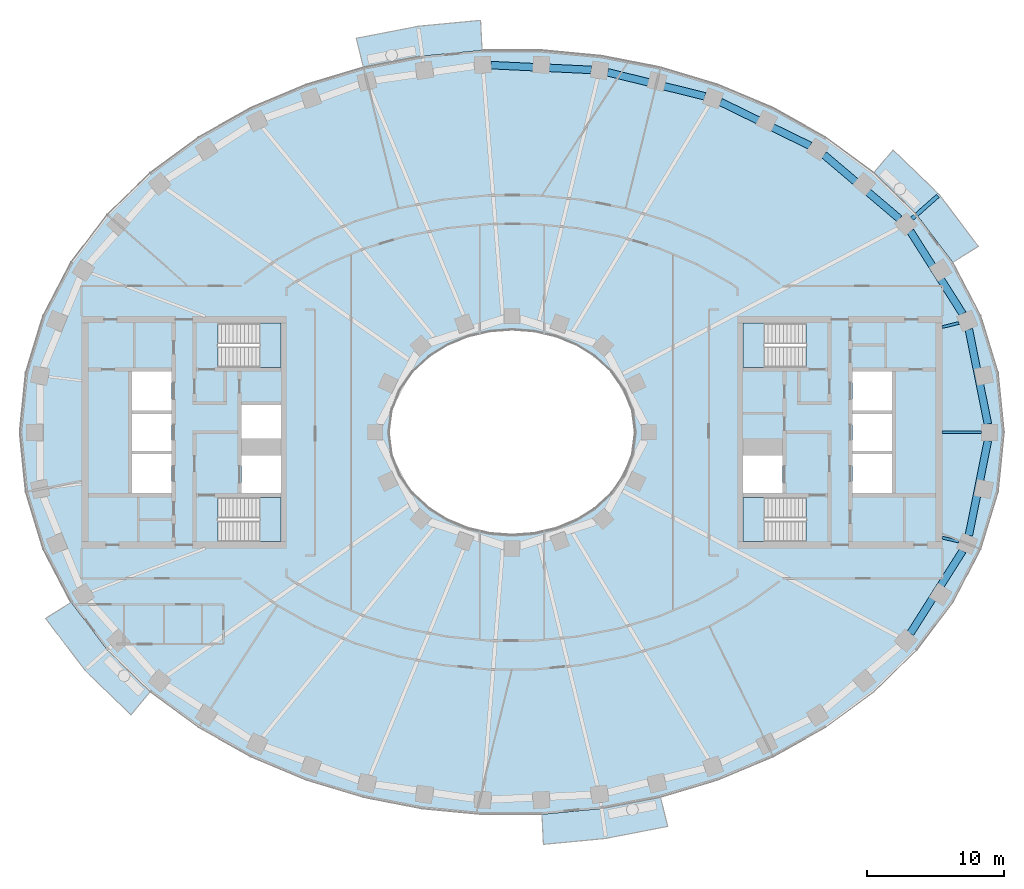
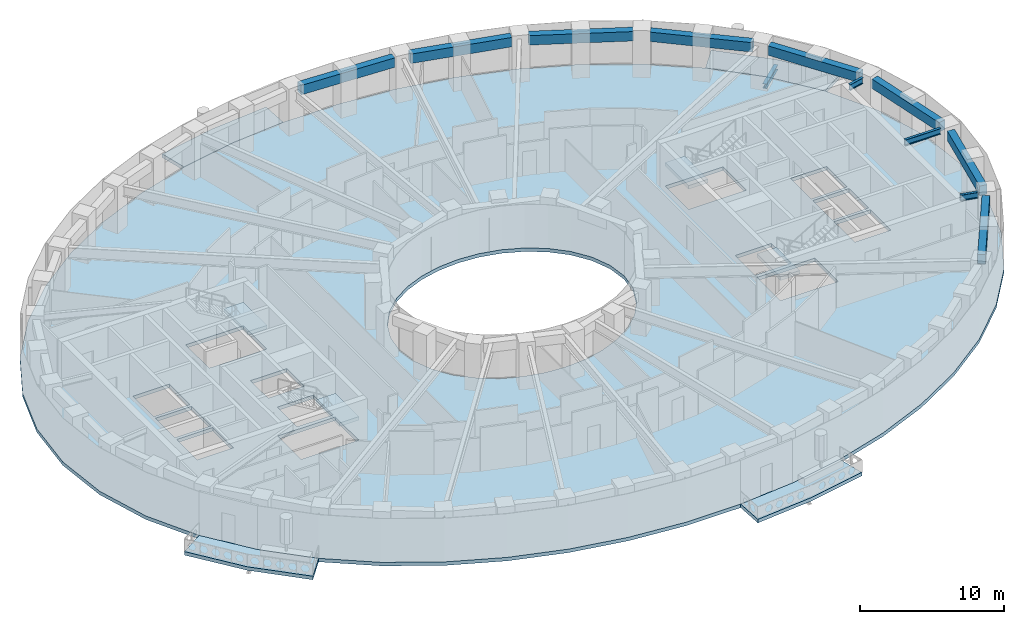
# One storey, part 2 of 16: 12 beams, 9 slabs, 4 elements without a shape of their own.
"""IFC4 building model written with IfcOpenShell, lengths in metres."""

import ifcopenshell
import ifcopenshell.guid

model = None  # the IFC model being written
_history = None  # IfcOwnerHistory: only IFC2X3 demands one
_inside = {}  # id of a spatial element -> (the spatial element, [elements in it])
_under = {}  # id of a project, library or spatial element -> (it, [spatial elements below it])
_declared = {}  # id of a project -> (the project, [libraries it declares])
_typed = {}  # id of a type object -> (the type object, [elements of that type])
_made_of = {}  # id of a material, layer set ... -> (it, [elements and type objects made of it])


def new_model(schema):
    """Start an empty IFC model of exactly this schema.

    Asked for "IFC4X3", IfcOpenShell would pick the latest addendum, in which some entities
    have other attributes; the version numbers below select the first issue.
    IFC2X3 requires an IfcOwnerHistory on every rooted entity: one is made here for all.
    """
    global model, _history
    if schema == "IFC4X3":
        model = ifcopenshell.file(schema_version=(4, 3, 0, 0))
    else:
        model = ifcopenshell.file(schema=schema)
    _inside.clear()
    _under.clear()
    _declared.clear()
    _typed.clear()
    _made_of.clear()
    _history = None
    if model.schema == "IFC2X3":
        org = make("IfcOrganization", Name="unknown")
        user = make(
            "IfcPersonAndOrganization",
            ThePerson=make("IfcPerson", FamilyName="unknown"),
            TheOrganization=org,
        )
        app = make(
            "IfcApplication",
            ApplicationDeveloper=org,
            Version="unknown",
            ApplicationFullName="unknown",
            ApplicationIdentifier="unknown",
        )
        _history = make(
            "IfcOwnerHistory",
            OwningUser=user,
            OwningApplication=app,
            ChangeAction="ADDED",
            CreationDate=0,
        )
    return model


def make(cls, **values):
    """One entity of the class cls with the attributes given. An attribute that is None is left unset."""
    return model.create_entity(
        cls, **{name: value for name, value in values.items() if value is not None}
    )


def rooted(cls, **values):
    """An entity with a GlobalId (a new one), such as an element, a storey or a relation."""
    return make(cls, GlobalId=ifcopenshell.guid.new(), OwnerHistory=_history, **values)


def si_unit(unit_type, name, prefix=None):
    """IfcSIUnit, for example si_unit("LENGTHUNIT", "METRE", prefix="MILLI")."""
    return make("IfcSIUnit", UnitType=unit_type, Prefix=prefix, Name=name)


def assignment(units):
    """IfcUnitAssignment: the units of a project."""
    return None if units is None else make("IfcUnitAssignment", Units=units)


def point(xyz):
    """IfcCartesianPoint."""
    return None if xyz is None else make("IfcCartesianPoint", Coordinates=xyz)


def direction(xyz):
    """IfcDirection."""
    return None if xyz is None else make("IfcDirection", DirectionRatios=xyz)


def frame(location, z_axis=None, x_axis=None):
    """IfcAxis2Placement3D, a coordinate frame: its origin and axes. An axis left out is left unset."""
    return make(
        "IfcAxis2Placement3D",
        Location=point(location),
        Axis=direction(z_axis),
        RefDirection=direction(x_axis),
    )


def frame_2d(location, x_axis=None):
    """IfcAxis2Placement2D, a coordinate frame in the plane: its origin and x axis."""
    return make(
        "IfcAxis2Placement2D", Location=point(location), RefDirection=direction(x_axis)
    )


def origin():
    """The frame at (0, 0, 0) with its axes left unset."""
    return frame((0.0, 0.0, 0.0))


def origin_2d():
    """The frame at (0, 0) in the plane with its x axis left unset."""
    return frame_2d((0.0, 0.0))


def place(relative_to, where):
    """IfcLocalPlacement: puts the frame where relative to a parent placement (None: the world)."""
    return make(
        "IfcLocalPlacement", PlacementRelTo=relative_to, RelativePlacement=where
    )


def context(
    kind, dimensions, precision=None, world=None, true_north=None, identifier=None
):
    """IfcGeometricRepresentationContext, for example the 3D "Model" context."""
    return make(
        "IfcGeometricRepresentationContext",
        ContextIdentifier=identifier,
        ContextType=kind,
        CoordinateSpaceDimension=dimensions,
        Precision=precision,
        WorldCoordinateSystem=world,
        TrueNorth=true_north,
    )


def subcontext(parent, identifier, kind, view, scale=None):
    """IfcGeometricRepresentationSubContext, for example "Body" below "Model"."""
    return make(
        "IfcGeometricRepresentationSubContext",
        ContextIdentifier=identifier,
        ContextType=kind,
        ParentContext=parent,
        TargetScale=scale,
        TargetView=view,
    )


def project(units=None, contexts=None):
    """IfcProject with its units and contexts."""
    return rooted(
        "IfcProject",
        Name="project",
        RepresentationContexts=contexts,
        UnitsInContext=assignment(units),
    )


def spatial(cls, under=None, at=None, **own):
    """A site, building, storey or space (cls), placed at a placement, below another one or the project."""
    s = rooted(cls, ObjectPlacement=at, **own)
    if under is not None:
        _under.setdefault(under.id(), (under, []))[1].append(s)
    return s


def polyline(points):
    """IfcPolyline through the points."""
    return make("IfcPolyline", Points=[point(p) for p in points])


def profile(cls, at=None, kind="AREA", **sizes):
    """A parametric profile (cls). Its sizes go by their IFC names, for example OverallWidth=200.0."""
    return make(cls, ProfileType=kind, Position=at, **sizes)


def rectangle(**sizes):
    """IfcRectangleProfileDef."""
    return profile("IfcRectangleProfileDef", **sizes)


def i_section(**sizes):
    """IfcIShapeProfileDef."""
    return profile("IfcIShapeProfileDef", **sizes)


def outline(outer, holes=None, kind="AREA"):
    """IfcArbitraryClosedProfileDef: a profile drawn as a closed curve; with holes, ...WithVoids."""
    if holes is None:
        return make("IfcArbitraryClosedProfileDef", ProfileType=kind, OuterCurve=outer)
    return make(
        "IfcArbitraryProfileDefWithVoids",
        ProfileType=kind,
        OuterCurve=outer,
        InnerCurves=holes,
    )


def extrude(swept, where, along, depth):
    """IfcExtrudedAreaSolid: the profile swept, set in the frame where, extruded along a direction by depth."""
    return make(
        "IfcExtrudedAreaSolid",
        SweptArea=swept,
        Position=where,
        ExtrudedDirection=direction(along),
        Depth=depth,
    )


def shape(context_of_items, identifier, shape_type, items):
    """IfcShapeRepresentation: the items that make up one representation, for example the "Body"."""
    return make(
        "IfcShapeRepresentation",
        ContextOfItems=context_of_items,
        RepresentationIdentifier=identifier,
        RepresentationType=shape_type,
        Items=items,
    )


def material(Name=None, Category=None):
    """IfcMaterial."""
    return make("IfcMaterial", Name=Name, Category=Category)


def layer(
    of_material, thickness, ventilated=None, Name=None, Category=None, Priority=None
):
    """IfcMaterialLayer: one layer of a wall or slab, of a material (None: an air gap)."""
    return make(
        "IfcMaterialLayer",
        Material=of_material,
        LayerThickness=thickness,
        IsVentilated=ventilated,
        Name=Name,
        Category=Category,
        Priority=Priority,
    )


def layer_set(layers, Name=None):
    """IfcMaterialLayerSet."""
    return make("IfcMaterialLayerSet", MaterialLayers=layers, LayerSetName=Name)


def material_profile(
    of_material, cross_section, Name=None, Category=None, Priority=None
):
    """IfcMaterialProfile: a cross section and its material."""
    return make(
        "IfcMaterialProfile",
        Name=Name,
        Material=of_material,
        Profile=cross_section,
        Priority=Priority,
        Category=Category,
    )


def profile_set(profiles, Name=None, composite=None):
    """IfcMaterialProfileSet."""
    return make(
        "IfcMaterialProfileSet",
        Name=Name,
        MaterialProfiles=profiles,
        CompositeProfile=composite,
    )


def made_of(thing, what):
    """Note that an element or type object is made of a material, layer set ...; save() writes the relation."""
    if what is not None:
        _made_of.setdefault(what.id(), (what, []))[1].append(thing)
    return thing


def type_object(cls, material=None, **own):
    """A type object (cls), such as IfcWallType, which elements share."""
    return made_of(rooted(cls, **own), material)


def element(
    cls,
    number,
    at=None,
    inside=None,
    cuts=None,
    type_object=None,
    material=None,
    context=None,
    identifier="Body",
    shape_type=None,
    held_by="IfcProductDefinitionShape",
    body=None,
    shapes=None,
    **own,
):
    """One element of the class cls, such as IfcWall. Its Tag is "e" and its number.

    at: its placement. inside: the storey or other place that contains it. cuts: it is an
    opening in that element (IfcRelVoidsElement). A single representation is given by context,
    identifier, shape_type and body (its items); several are given by shapes. held_by: the class
    of the entity that holds the representations. save() writes the other relations.
    """
    e = rooted(cls, Tag="e%d" % number, ObjectPlacement=at, **own)
    if body is not None:
        shapes = [shape(context, identifier, shape_type, body)]
    if shapes is not None:
        e.Representation = make(held_by, Representations=shapes)
    if inside is not None:
        _inside.setdefault(inside.id(), (inside, []))[1].append(e)
    if cuts is not None:
        rooted(
            "IfcRelVoidsElement", RelatingBuildingElement=cuts, RelatedOpeningElement=e
        )
    if type_object is not None:
        _typed.setdefault(type_object.id(), (type_object, []))[1].append(e)
    return made_of(e, material)


def aggregate(whole, parts):
    """IfcRelAggregates: a whole, such as a stair, and the parts it consists of."""
    return rooted("IfcRelAggregates", RelatingObject=whole, RelatedObjects=parts)


def save(model, path):
    """Write the relations noted so far, then the file.

    IfcRelAggregates (storeys below a building ...), IfcRelContainedInSpatialStructure (elements
    in a storey), IfcRelDefinesByType, IfcRelAssociatesMaterial and IfcRelDeclares: one each for
    every whole, place, type object, material and project.
    """
    for whole, parts in _under.values():
        aggregate(whole, parts)
    for where, things in _inside.values():
        rooted(
            "IfcRelContainedInSpatialStructure",
            RelatedElements=things,
            RelatingStructure=where,
        )
    for kind, things in _typed.values():
        rooted("IfcRelDefinesByType", RelatedObjects=things, RelatingType=kind)
    for what, things in _made_of.values():
        rooted("IfcRelAssociatesMaterial", RelatedObjects=things, RelatingMaterial=what)
    for by, libraries in _declared.values():
        rooted("IfcRelDeclares", RelatingContext=by, RelatedDefinitions=libraries)
    model.write(path)


model = new_model("IFC4")

# Units and contexts
model_context = context("Model", 3, precision=1e-05, world=origin(), true_north=direction((0.0, 1.0)))
body_context = subcontext(model_context, "Body", "Model", "MODEL_VIEW")
ifc_project = project(units=[si_unit("LENGTHUNIT", "METRE"), si_unit("AREAUNIT", "SQUARE_METRE"), si_unit("VOLUMEUNIT", "CUBIC_METRE"), si_unit("PLANEANGLEUNIT", "RADIAN"), si_unit("MASSUNIT", "GRAM", prefix="KILO")], contexts=[model_context])

# Site, building, storey
site_placement = place(None, origin())
site = spatial("IfcSite", under=ifc_project, at=site_placement, CompositionType="ELEMENT")
building_placement = place(site_placement, origin())
building = spatial("IfcBuilding", under=site, at=building_placement, Name="Noorbagh Ring Tower", CompositionType="ELEMENT")
storey_placement = place(building_placement, frame((0.0, 0.0, 132.0)))
storey = spatial("IfcBuildingStorey", under=building, at=storey_placement, Name="L30", CompositionType="ELEMENT", Elevation=132.0)

# Beams
ifc_material_1 = material(Name="Steel S355", Category="steel")
ifc_material_profile_1 = material_profile(ifc_material_1, i_section(OverallWidth=0.300048828125, OverallDepth=0.39990234375, WebThickness=0.013427734375, FlangeThickness=0.02392578125, FilletRadius=0.027099609375, at=origin_2d()), Name="HEB400")
ifc_profile_set_1 = profile_set([ifc_material_profile_1], Name="Steel S355")
beam_type_1 = type_object("IfcBeamType", Name="STR-BALCONY-BRACKET-HEB400", PredefinedType="BEAM", material=ifc_profile_set_1)
beam_1_placement = place(storey_placement, frame((29.27197265625, 15.63134765625, -0.5), z_axis=(0.749063543205, 0.662498157161, 0.0), x_axis=(-0.662498157161, 0.749063543205, 0.0)))
element("IfcBeam", 1, at=beam_1_placement, inside=storey, type_object=beam_type_1, Name="Balcony bracket beam BN01", PredefinedType="BEAM", context=body_context, shape_type="SweptSolid", body=[
    extrude(i_section(OverallWidth=0.300048828125, OverallDepth=0.39990234375, WebThickness=0.013427734375, FlangeThickness=0.02392578125, FilletRadius=0.027099609375, at=origin_2d()), origin(), (0.0, 0.0, 1.0), 2.50439453125),
])
ifc_material_2 = material(Name="Steel S355", Category="steel")
ifc_material_profile_2 = material_profile(ifc_material_2, i_section(OverallWidth=0.199951171875, OverallDepth=0.5, WebThickness=0.01025390625, FlangeThickness=0.01611328125, FilletRadius=0.02099609375, at=origin_2d()), Name="IPE500")
ifc_profile_set_2 = profile_set([ifc_material_profile_2], Name="Steel S355")
beam_type_2 = type_object("IfcBeamType", Name="STR-RAD-IPE500", PredefinedType="BEAM", material=ifc_profile_set_2)
beam_2_placement = place(storey_placement, frame((34.339599609375, 0.0, 3.449951171875), z_axis=(-1.0, 0.0, 0.0), x_axis=(0.0, -1.0, 0.0)))
element("IfcBeam", 2, at=beam_2_placement, inside=storey, type_object=beam_type_2, Name="L30/bm/RD01", PredefinedType="BEAM", context=body_context, shape_type="SweptSolid", body=[
    extrude(i_section(OverallWidth=0.199951171875, OverallDepth=0.5, WebThickness=0.01025390625, FlangeThickness=0.01611328125, FilletRadius=0.02099609375, at=origin_2d()), origin(), (0.0, 0.0, 1.0), 2.859619140625),
])
for number, where, z_axis, x_axis, name in (
    (3, (32.710693359375, 8.00390625, 3.449951171875), (-0.971343647719, -0.237679443865, 0.0), (0.237679443865, -0.971343647719, 0.0), "L30/bm/RD03"),
    (4, (32.710693359375, -8.00390625, 3.449951171875), (-0.971343647719, 0.237679443865, 0.0), (-0.237679443865, -0.971343647719, 0.0), "L30/bm/RD45"),
):
    element("IfcBeam", number, at=place(storey_placement, frame(where, z_axis=z_axis, x_axis=x_axis)), inside=storey, type_object=beam_type_2, Name=name, PredefinedType="BEAM", context=body_context, shape_type="SweptSolid", body=[
        extrude(i_section(OverallWidth=0.199951171875, OverallDepth=0.5, WebThickness=0.01025390625, FlangeThickness=0.01611328125, FilletRadius=0.02099609375, at=origin_2d()), origin(), (0.0, 0.0, 1.0), 1.2666015625),
    ])
ifc_material_3 = material(Name="Concrete C40/50", Category="concrete")
ifc_material_profile_3 = material_profile(ifc_material_3, rectangle(XDim=0.550048828125, YDim=0.800048828125, at=origin_2d()), Name="RC550x800")
ifc_profile_set_3 = profile_set([ifc_material_profile_3], Name="Concrete C40/50")
beam_type_3 = type_object("IfcBeamType", Name="STR-SB-RC550x800-C40-50", PredefinedType="BEAM", material=ifc_profile_set_3)
beam_3_placement = place(storey_placement, frame((34.822998046875, 0.60546875, 3.300048828125), z_axis=(-0.197250205232, 0.98035317949, 0.0), x_axis=(-0.98035317949, -0.197250205232, 0.0)))
element("IfcBeam", 5, at=beam_3_placement, inside=storey, type_object=beam_type_3, Name="L30/bm/SP01", PredefinedType="BEAM", context=body_context, shape_type="SweptSolid", body=[
    extrude(rectangle(XDim=0.550048828125, YDim=0.800048828125, at=origin_2d()), origin(), (0.0, 0.0, 1.0), 7.07861328125),
])
beam_4_placement = place(storey_placement, frame((32.97607421875, 8.668701171875, 3.300048828125), z_axis=(-0.535178715716, 0.844738860385, 0.0), x_axis=(-0.844738860385, -0.535178715716, 0.0)))
element("IfcBeam", 6, at=beam_4_placement, inside=storey, type_object=beam_type_3, Name="L30/bm/SP03", PredefinedType="BEAM", context=body_context, shape_type="SweptSolid", body=[
    extrude(rectangle(XDim=0.550048828125, YDim=0.800048828125, at=origin_2d()), origin(), (0.0, 0.0, 1.0), 7.15478515625),
])
beam_5_placement = place(storey_placement, frame((28.352294921875, 15.625732421875, 3.300048828125), z_axis=(-0.76304723731, 0.646342721498, 0.0), x_axis=(-0.646342721498, -0.76304723731, 0.0)))
element("IfcBeam", 7, at=beam_5_placement, inside=storey, type_object=beam_type_3, Name="L30/bm/SP05", PredefinedType="BEAM", context=body_context, shape_type="SweptSolid", body=[
    extrude(rectangle(XDim=0.550048828125, YDim=0.800048828125, at=origin_2d()), origin(), (0.0, 0.0, 1.0), 7.240234375),
])
beam_6_placement = place(storey_placement, frame((21.814453125, 20.967529296875, 3.300048828125), z_axis=(-0.898391398986, 0.439195735667, 0.0), x_axis=(-0.439195735667, -0.898391398986, 0.0)))
element("IfcBeam", 8, at=beam_6_placement, inside=storey, type_object=beam_type_3, Name="L30/bm/SP07", PredefinedType="BEAM", context=body_context, shape_type="SweptSolid", body=[
    extrude(rectangle(XDim=0.550048828125, YDim=0.800048828125, at=origin_2d()), origin(), (0.0, 0.0, 1.0), 7.2998046875),
])
beam_7_placement = place(storey_placement, frame((14.118896484375, 24.586669921875, 3.300048828125), z_axis=(-0.970829859213, 0.239769440213, 0.0), x_axis=(-0.239769440213, -0.970829859213, 0.0)))
element("IfcBeam", 9, at=beam_7_placement, inside=storey, type_object=beam_type_3, Name="L30/bm/SP09", PredefinedType="BEAM", context=body_context, shape_type="SweptSolid", body=[
    extrude(rectangle(XDim=0.550048828125, YDim=0.800048828125, at=origin_2d()), origin(), (0.0, 0.0, 1.0), 7.333251953125),
])
beam_8_placement = place(storey_placement, frame((5.802001953125, 26.519775390625, 3.300048828125), z_axis=(-0.998868588799, 0.047555675902, 0.0), x_axis=(-0.047555675902, -0.998868588799, 0.0)))
element("IfcBeam", 10, at=beam_8_placement, inside=storey, type_object=beam_type_3, Name="L30/bm/SP11", PredefinedType="BEAM", context=body_context, shape_type="SweptSolid", body=[
    extrude(rectangle(XDim=0.550048828125, YDim=0.800048828125, at=origin_2d()), origin(), (0.0, 0.0, 1.0), 7.346435546875),
])
beam_9_placement = place(storey_placement, frame((29.14697265625, -14.712646484375, 3.300048828125), z_axis=(0.535178715716, 0.844738860385, 0.0), x_axis=(-0.844738860385, 0.535178715716, 0.0)))
element("IfcBeam", 11, at=beam_9_placement, inside=storey, type_object=beam_type_3, Name="L30/bm/SP43", PredefinedType="BEAM", context=body_context, shape_type="SweptSolid", body=[
    extrude(rectangle(XDim=0.550048828125, YDim=0.800048828125, at=origin_2d()), origin(), (0.0, 0.0, 1.0), 7.15478515625),
])
beam_10_placement = place(storey_placement, frame((33.4267578125, -7.544921875, 3.300048828125), z_axis=(0.197250205232, 0.98035317949, 0.0), x_axis=(-0.98035317949, 0.197250205232, 0.0)))
element("IfcBeam", 12, at=beam_10_placement, inside=storey, type_object=beam_type_3, Name="L30/bm/SP45", PredefinedType="BEAM", context=body_context, shape_type="SweptSolid", body=[
    extrude(rectangle(XDim=0.550048828125, YDim=0.800048828125, at=origin_2d()), origin(), (0.0, 0.0, 1.0), 7.07861328125),
])

# Stair, slab
ifc_material_4 = material(Name="Concrete C40/50", Category="concrete")
stair_type = type_object("IfcStairType", Name="CORE-STAIR", PredefinedType="HALF_TURN_STAIR", material=ifc_material_4)
stair_1_placement = place(storey_placement, origin())
stair_1 = element("IfcStair", 13, at=stair_1_placement, inside=storey, type_object=stair_type, Name="L30 Exit stair ST1", PredefinedType="HALF_TURN_STAIR")
ifc_material_5 = material(Name="Concrete C40/50", Category="concrete")
ifc_layer_1 = layer(ifc_material_5, 0.300048828125)
ifc_layer_set_1 = layer_set([ifc_layer_1], Name="Concrete C40/50")
slab_type_1 = type_object("IfcSlabType", Name="CORE-STAIR-LANDING", PredefinedType="LANDING", material=ifc_layer_set_1)
slab_1_placement = place(storey_placement, frame((0.0, 0.0, 1.699951171875)))
slab_1 = element("IfcSlab", 14, at=slab_1_placement, type_object=slab_type_1, Name="ST1 landing 1", PredefinedType="LANDING", context=body_context, shape_type="SweptSolid", body=[
    extrude(outline(polyline([(-18.449951171875, 4.75), (-16.89990234375, 4.75), (-16.89990234375, 8.0), (-18.449951171875, 8.0), (-18.449951171875, 4.75)])), origin(), (0.0, 0.0, 1.0), 0.300048828125),
])
aggregate(stair_1, [slab_1])

stair_2_placement = place(storey_placement, origin())
stair_2 = element("IfcStair", 15, at=stair_2_placement, inside=storey, type_object=stair_type, Name="L30 Exit stair ST2", PredefinedType="HALF_TURN_STAIR")
slab_2_placement = place(storey_placement, frame((0.0, 0.0, 1.699951171875)))
slab_2 = element("IfcSlab", 16, at=slab_2_placement, type_object=slab_type_1, Name="ST2 landing 1", PredefinedType="LANDING", context=body_context, shape_type="SweptSolid", body=[
    extrude(outline(polyline([(-18.449951171875, -8.0), (-16.89990234375, -8.0), (-16.89990234375, -4.75), (-18.449951171875, -4.75), (-18.449951171875, -8.0)])), origin(), (0.0, 0.0, 1.0), 0.300048828125),
])
aggregate(stair_2, [slab_2])

stair_3_placement = place(storey_placement, origin())
stair_3 = element("IfcStair", 17, at=stair_3_placement, inside=storey, type_object=stair_type, Name="L30 Exit stair ST3", PredefinedType="HALF_TURN_STAIR")
slab_3_placement = place(storey_placement, frame((0.0, 0.0, 1.699951171875)))
slab_3 = element("IfcSlab", 18, at=slab_3_placement, type_object=slab_type_1, Name="ST3 landing 1", PredefinedType="LANDING", context=body_context, shape_type="SweptSolid", body=[
    extrude(outline(polyline([(18.449951171875, 8.0), (16.89990234375, 8.0), (16.89990234375, 4.75), (18.449951171875, 4.75), (18.449951171875, 8.0)])), origin(), (0.0, 0.0, 1.0), 0.300048828125),
])
aggregate(stair_3, [slab_3])

stair_4_placement = place(storey_placement, origin())
stair_4 = element("IfcStair", 19, at=stair_4_placement, inside=storey, type_object=stair_type, Name="L30 Exit stair ST4", PredefinedType="HALF_TURN_STAIR")
slab_4_placement = place(storey_placement, frame((0.0, 0.0, 1.699951171875)))
slab_4 = element("IfcSlab", 20, at=slab_4_placement, type_object=slab_type_1, Name="ST4 landing 1", PredefinedType="LANDING", context=body_context, shape_type="SweptSolid", body=[
    extrude(outline(polyline([(18.449951171875, -4.75), (16.89990234375, -4.75), (16.89990234375, -8.0), (18.449951171875, -8.0), (18.449951171875, -4.75)])), origin(), (0.0, 0.0, 1.0), 0.300048828125),
])
aggregate(stair_4, [slab_4])

# Slabs
ifc_material_6 = material(Name="Concrete C40/50", Category="concrete")
ifc_layer_2 = layer(ifc_material_6, 0.300048828125)
ifc_layer_set_2 = layer_set([ifc_layer_2], Name="Concrete C40/50")
slab_type_2 = type_object("IfcSlabType", Name="ENV-BALCONY DECK 300", PredefinedType="FLOOR", material=ifc_layer_set_2)
slab_5_placement = place(storey_placement, frame((0.0, 0.0, -0.300048828125)))
element("IfcSlab", 21, at=slab_5_placement, inside=storey, type_object=slab_type_2, Name="Tree balcony deck BN01", PredefinedType="FLOOR", context=body_context, shape_type="SweptSolid", body=[
    extrude(outline(polyline([(34.120361328125, 13.615966796875), (31.26025390625, 17.389892578125), (27.888671875, 20.665771484375), (26.463134765625, 18.983154296875), (29.607666015625, 15.92822265625), (32.255126953125, 12.434814453125), (34.120361328125, 13.615966796875)])), origin(), (0.0, 0.0, 1.0), 0.300048828125),
])
slab_6_placement = place(storey_placement, frame((0.0, 0.0, -0.300048828125)))
element("IfcSlab", 22, at=slab_6_placement, inside=storey, type_object=slab_type_2, Name="Tree balcony deck BN04", PredefinedType="FLOOR", context=body_context, shape_type="SweptSolid", body=[
    extrude(outline(polyline([(-2.2978515625, 30.14794921875), (-6.874755859375, 29.711181640625), (-11.3935546875, 28.832763671875), (-10.865234375, 26.6943359375), (-6.5595703125, 27.53125), (-2.193115234375, 27.947998046875), (-2.2978515625, 30.14794921875)])), origin(), (0.0, 0.0, 1.0), 0.300048828125),
])
slab_7_placement = place(storey_placement, frame((0.0, 0.0, -0.300048828125)))
element("IfcSlab", 23, at=slab_7_placement, inside=storey, type_object=slab_type_2, Name="Tree balcony deck BS01", PredefinedType="FLOOR", context=body_context, shape_type="SweptSolid", body=[
    extrude(outline(polyline([(-34.120361328125, -13.615966796875), (-31.26025390625, -17.389892578125), (-27.888671875, -20.665771484375), (-26.463134765625, -18.983154296875), (-29.607666015625, -15.92822265625), (-32.255126953125, -12.434814453125), (-34.120361328125, -13.615966796875)])), origin(), (0.0, 0.0, 1.0), 0.300048828125),
])
slab_8_placement = place(storey_placement, frame((0.0, 0.0, -0.300048828125)))
element("IfcSlab", 24, at=slab_8_placement, inside=storey, type_object=slab_type_2, Name="Tree balcony deck BS04", PredefinedType="FLOOR", context=body_context, shape_type="SweptSolid", body=[
    extrude(outline(polyline([(2.2978515625, -30.14794921875), (6.874755859375, -29.711181640625), (11.3935546875, -28.832763671875), (10.865234375, -26.6943359375), (6.5595703125, -27.53125), (2.193115234375, -27.947998046875), (2.2978515625, -30.14794921875)])), origin(), (0.0, 0.0, 1.0), 0.300048828125),
])
ifc_material_7 = material(Name="Concrete C40/50", Category="concrete")
ifc_layer_3 = layer(ifc_material_7, 0.300048828125)
ifc_layer_set_3 = layer_set([ifc_layer_3], Name="Concrete C40/50")
slab_type_3 = type_object("IfcSlabType", Name="STR-FLOOR-DECK-300", PredefinedType="FLOOR", material=ifc_layer_set_3)
slab_9_placement = place(storey_placement, frame((0.0, 0.0, -0.300048828125)))
element("IfcSlab", 25, at=slab_9_placement, inside=storey, type_object=slab_type_3, Name="L30/slab/1", PredefinedType="FLOOR", context=body_context, shape_type="SweptSolid", body=[
    extrude(outline(polyline([(36.0, 0.0), (35.56103515625, 4.358642578125), (34.281005859375, 8.548828125), (32.255126953125, 12.434814453125), (29.607666015625, 15.92822265625), (26.463134765625, 18.983154296875), (22.9326171875, 21.583740234375), (19.108154296875, 23.730224609375), (15.0654296875, 25.430419921875), (10.865234375, 26.6943359375), (6.5595703125, 27.53125), (2.193115234375, 27.947998046875), (-2.193115234375, 27.947998046875), (-6.5595703125, 27.53125), (-10.865234375, 26.6943359375), (-15.0654296875, 25.430419921875), (-19.108154296875, 23.730224609375), (-22.9326171875, 21.583740234375), (-26.463134765625, 18.983154296875), (-29.607666015625, 15.92822265625), (-32.255126953125, 12.434814453125), (-34.281005859375, 8.548828125), (-35.56103515625, 4.358642578125), (-36.0, 0.0), (-35.56103515625, -4.358642578125), (-34.281005859375, -8.548828125), (-32.255126953125, -12.434814453125), (-29.607666015625, -15.92822265625), (-26.463134765625, -18.983154296875), (-22.9326171875, -21.583740234375), (-19.108154296875, -23.730224609375), (-15.0654296875, -25.430419921875), (-10.865234375, -26.6943359375), (-6.5595703125, -27.53125), (-2.193115234375, -27.947998046875), (2.193115234375, -27.947998046875), (6.5595703125, -27.53125), (10.865234375, -26.6943359375), (15.0654296875, -25.430419921875), (19.108154296875, -23.730224609375), (22.9326171875, -21.583740234375), (26.463134765625, -18.983154296875), (29.607666015625, -15.92822265625), (32.255126953125, -12.434814453125), (34.281005859375, -8.548828125), (35.56103515625, -4.358642578125), (36.0, 0.0)]), holes=[polyline([(24.89990234375, -1.60009765625), (27.800048828125, -1.60009765625), (27.800048828125, -4.449951171875), (24.89990234375, -4.449951171875), (24.89990234375, -1.60009765625)]), polyline([(24.89990234375, 1.35009765625), (27.800048828125, 1.35009765625), (27.800048828125, -1.35009765625), (24.89990234375, -1.35009765625), (24.89990234375, 1.35009765625)]), polyline([(24.89990234375, 4.449951171875), (27.800048828125, 4.449951171875), (27.800048828125, 1.60009765625), (24.89990234375, 1.60009765625), (24.89990234375, 4.449951171875)]), polyline([(21.529541015625, -4.75), (21.529541015625, -8.0), (16.89990234375, -8.0), (16.89990234375, -4.75), (21.529541015625, -4.75)]), polyline([(21.529541015625, 4.75), (16.89990234375, 4.75), (16.89990234375, 8.0), (21.529541015625, 8.0), (21.529541015625, 4.75)]), polyline([(16.89990234375, -1.699951171875), (19.800048828125, -1.699951171875), (19.800048828125, -4.449951171875), (16.89990234375, -4.449951171875), (16.89990234375, -1.699951171875)]), polyline([(4.697509765625, -6.3974609375), (3.196533203125, -7.010986328125), (1.6171875, -7.3779296875), (0.0, -7.5), (-1.6171875, -7.3779296875), (-3.196533203125, -7.010986328125), (-4.697509765625, -6.3974609375), (-6.071044921875, -5.53662109375), (-7.2587890625, -4.43408203125), (-8.1904296875, -3.10888671875), (-8.79150390625, -1.605224609375), (-9.0, 0.0), (-8.79150390625, 1.605224609375), (-8.1904296875, 3.10888671875), (-7.2587890625, 4.43408203125), (-6.071044921875, 5.53662109375), (-4.697509765625, 6.3974609375), (-3.196533203125, 7.010986328125), (-1.6171875, 7.3779296875), (0.0, 7.5), (1.6171875, 7.3779296875), (3.196533203125, 7.010986328125), (4.697509765625, 6.3974609375), (6.071044921875, 5.53662109375), (7.2587890625, 4.43408203125), (8.1904296875, 3.10888671875), (8.79150390625, 1.605224609375), (9.0, 0.0), (8.79150390625, -1.605224609375), (8.1904296875, -3.10888671875), (7.2587890625, -4.43408203125), (6.071044921875, -5.53662109375), (4.697509765625, -6.3974609375)]), polyline([(-21.529541015625, -8.0), (-21.529541015625, -4.75), (-16.89990234375, -4.75), (-16.89990234375, -8.0), (-21.529541015625, -8.0)]), polyline([(-21.529541015625, 8.0), (-16.89990234375, 8.0), (-16.89990234375, 4.75), (-21.529541015625, 4.75), (-21.529541015625, 8.0)]), polyline([(-16.89990234375, -4.449951171875), (-19.800048828125, -4.449951171875), (-19.800048828125, -1.699951171875), (-16.89990234375, -1.699951171875), (-16.89990234375, -4.449951171875)]), polyline([(-16.89990234375, -0.449951171875), (-19.800048828125, -0.449951171875), (-19.800048828125, 2.0), (-16.89990234375, 2.0), (-16.89990234375, -0.449951171875)]), polyline([(-24.89990234375, -4.449951171875), (-27.800048828125, -4.449951171875), (-27.800048828125, -1.60009765625), (-24.89990234375, -1.60009765625), (-24.89990234375, -4.449951171875)]), polyline([(-24.89990234375, -1.35009765625), (-27.800048828125, -1.35009765625), (-27.800048828125, 1.35009765625), (-24.89990234375, 1.35009765625), (-24.89990234375, -1.35009765625)]), polyline([(-24.89990234375, 1.60009765625), (-27.800048828125, 1.60009765625), (-27.800048828125, 4.449951171875), (-24.89990234375, 4.449951171875), (-24.89990234375, 1.60009765625)])]), origin(), (0.0, 0.0, 1.0), 0.300048828125),
])

save(model, "model.ifc")
